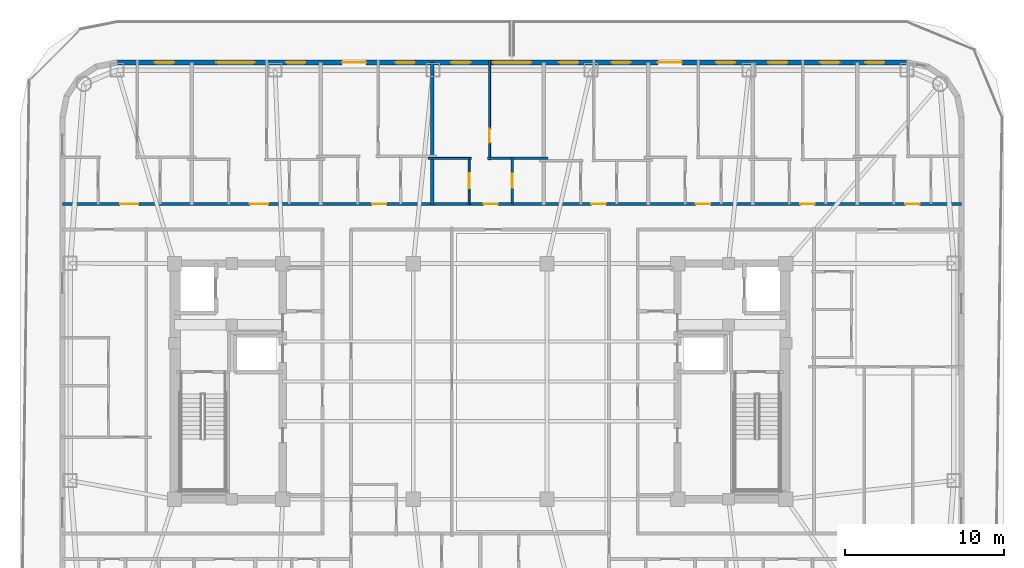
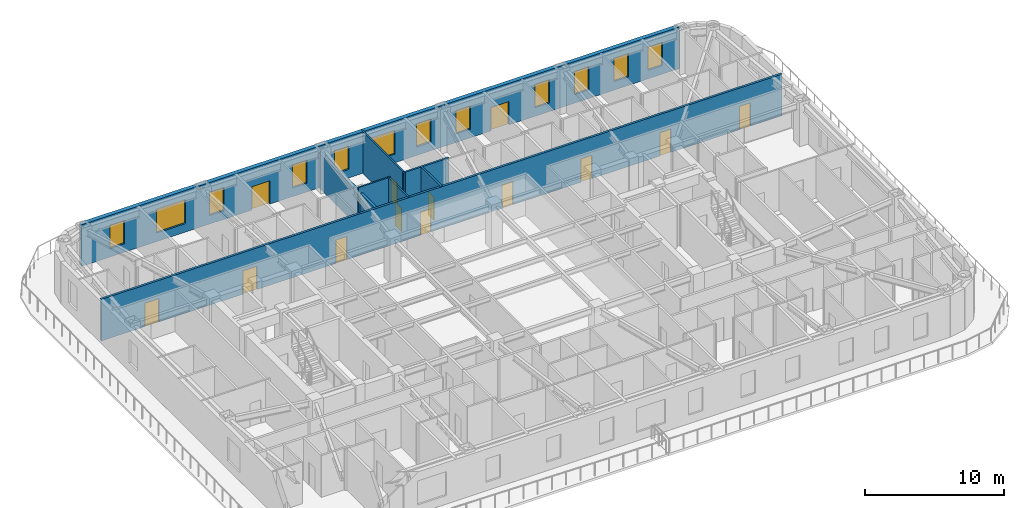
# One storey, part 8 of 15: 13 doors, 12 windows, 8 walls, 25 openings.
"""IFC4 building model written with IfcOpenShell, lengths in metres."""

from ifc_helpers import new_model, si_unit, direction, frame, frame_2d, origin, place, context, subcontext, project, spatial, rectangle, extrude, material, layer, layer_set, type_object, element, fill, save


model = new_model("IFC4")

# Units and contexts
model_context = context("Model", 3, precision=1e-05, world=origin(), true_north=direction((0.0, 1.0)))
body_context = subcontext(model_context, "Body", "Model", "MODEL_VIEW")
ifc_project = project(units=[si_unit("LENGTHUNIT", "METRE"), si_unit("AREAUNIT", "SQUARE_METRE"), si_unit("VOLUMEUNIT", "CUBIC_METRE"), si_unit("PLANEANGLEUNIT", "RADIAN"), si_unit("MASSUNIT", "GRAM", prefix="KILO")], contexts=[model_context])

# Site, building, storey
site_placement = place(None, origin())
site = spatial("IfcSite", under=ifc_project, at=site_placement, CompositionType="ELEMENT")
building_placement = place(site_placement, origin())
building = spatial("IfcBuilding", under=site, at=building_placement, Name="Voryun Gate Residences", CompositionType="ELEMENT")
storey_placement = place(building_placement, frame((0.0, 0.0, 231.39990234375)))
storey = spatial("IfcBuildingStorey", under=building, at=storey_placement, Name="L57", CompositionType="ELEMENT", Elevation=231.39990234375)

# Wall, openings, doors
ifc_material_1 = material(Name="Gypsum acoustic fireboard")
ifc_layer_1 = layer(ifc_material_1, 0.179931640625, Name="W_CORR_RATED_180")
ifc_layer_set_1 = layer_set([ifc_layer_1], Name="Gypsum acoustic fireboard")
wall_type_1 = type_object("IfcWallType", Name="W_CORR_RATED_180", PredefinedType="PARTITIONING", material=ifc_layer_set_1)
wall_1_placement = place(storey_placement, frame((-26.22998046875, 11.14990234375, 0.0), z_axis=(0.0, 0.0, 1.0), x_axis=(1.0, 0.0, 0.0)))
wall_1 = element("IfcWall", 1, at=wall_1_placement, inside=storey, type_object=wall_type_1, Name="Partition wall WP-L57-NCORR", PredefinedType="PARTITIONING", context=body_context, shape_type="SweptSolid", body=[
    extrude(rectangle(XDim=56.4599609375, YDim=0.179931640625, at=frame_2d((28.22998046875, 0.0))), origin(), (0.0, 0.0, 1.0), 3.650146484375),
])
opening_1_placement = place(wall_1_placement, frame((3.6142578125, 0.0, 0.0)))
opening_1 = element("IfcOpeningElement", 2, at=opening_1_placement, cuts=wall_1, Name="Opening D-UNIT-1", PredefinedType="OPENING", context=body_context, shape_type="SweptSolid", body=[
    extrude(rectangle(XDim=1.14990234375, YDim=2.050048828125, at=frame_2d((0.574951171875, 1.02490234375))), frame((0.0, 0.099853515625, 0.0), z_axis=(0.0, -1.0, 0.0), x_axis=(1.0, 0.0, 0.0)), (0.0, 0.0, 1.0), 0.199951171875),
])
opening_2_placement = place(wall_1_placement, frame((11.761474609375, 0.0, 0.0)))
opening_2 = element("IfcOpeningElement", 3, at=opening_2_placement, cuts=wall_1, Name="Opening D-UNIT-1", PredefinedType="OPENING", context=body_context, shape_type="SweptSolid", body=[
    extrude(rectangle(XDim=1.14990234375, YDim=2.050048828125, at=frame_2d((0.574951171875, 1.02490234375))), frame((0.0, 0.099853515625, 0.0), z_axis=(0.0, -1.0, 0.0), x_axis=(1.0, 0.0, 0.0)), (0.0, 0.0, 1.0), 0.199951171875),
])
opening_3_placement = place(wall_1_placement, frame((19.446533203125, 0.0, 0.0)))
opening_3 = element("IfcOpeningElement", 4, at=opening_3_placement, cuts=wall_1, Name="Opening D-INT-2", PredefinedType="OPENING", context=body_context, shape_type="SweptSolid", body=[
    extrude(rectangle(XDim=0.89990234375, YDim=2.050048828125, at=frame_2d((0.449951171875, 1.02490234375))), frame((0.0, 0.099853515625, 0.0), z_axis=(0.0, -1.0, 0.0), x_axis=(1.0, 0.0, 0.0)), (0.0, 0.0, 1.0), 0.199951171875),
])
opening_4_placement = place(wall_1_placement, frame((26.447509765625, 0.0, 0.0)))
opening_4 = element("IfcOpeningElement", 5, at=opening_4_placement, cuts=wall_1, Name="Opening D-INT-2", PredefinedType="OPENING", context=body_context, shape_type="SweptSolid", body=[
    extrude(rectangle(XDim=0.89990234375, YDim=2.050048828125, at=frame_2d((0.449951171875, 1.02490234375))), frame((0.0, 0.099853515625, 0.0), z_axis=(0.0, -1.0, 0.0), x_axis=(1.0, 0.0, 0.0)), (0.0, 0.0, 1.0), 0.199951171875),
])
opening_5_placement = place(wall_1_placement, frame((33.22265625, 0.0, 0.0)))
opening_5 = element("IfcOpeningElement", 6, at=opening_5_placement, cuts=wall_1, Name="Opening D-INT-2", PredefinedType="OPENING", context=body_context, shape_type="SweptSolid", body=[
    extrude(rectangle(XDim=0.89990234375, YDim=2.050048828125, at=frame_2d((0.449951171875, 1.02490234375))), frame((0.0, 0.099853515625, 0.0), z_axis=(0.0, -1.0, 0.0), x_axis=(1.0, 0.0, 0.0)), (0.0, 0.0, 1.0), 0.199951171875),
])
opening_6_placement = place(wall_1_placement, frame((39.783447265625, 0.0, 0.0)))
opening_6 = element("IfcOpeningElement", 7, at=opening_6_placement, cuts=wall_1, Name="Opening D-INT-2", PredefinedType="OPENING", context=body_context, shape_type="SweptSolid", body=[
    extrude(rectangle(XDim=0.89990234375, YDim=2.050048828125, at=frame_2d((0.449951171875, 1.02490234375))), frame((0.0, 0.099853515625, 0.0), z_axis=(0.0, -1.0, 0.0), x_axis=(1.0, 0.0, 0.0)), (0.0, 0.0, 1.0), 0.199951171875),
])
opening_7_placement = place(wall_1_placement, frame((46.343994140625, 0.0, 0.0)))
opening_7 = element("IfcOpeningElement", 8, at=opening_7_placement, cuts=wall_1, Name="Opening D-INT-2", PredefinedType="OPENING", context=body_context, shape_type="SweptSolid", body=[
    extrude(rectangle(XDim=0.89990234375, YDim=2.050048828125, at=frame_2d((0.449951171875, 1.02490234375))), frame((0.0, 0.099853515625, 0.0), z_axis=(0.0, -1.0, 0.0), x_axis=(1.0, 0.0, 0.0)), (0.0, 0.0, 1.0), 0.199951171875),
])
opening_8_placement = place(wall_1_placement, frame((52.932861328125, 0.0, 0.0)))
opening_8 = element("IfcOpeningElement", 9, at=opening_8_placement, cuts=wall_1, Name="Opening D-INT-2", PredefinedType="OPENING", context=body_context, shape_type="SweptSolid", body=[
    extrude(rectangle(XDim=0.89990234375, YDim=2.050048828125, at=frame_2d((0.449951171875, 1.02490234375))), frame((0.0, 0.099853515625, 0.0), z_axis=(0.0, -1.0, 0.0), x_axis=(1.0, 0.0, 0.0)), (0.0, 0.0, 1.0), 0.199951171875),
])
ifc_material_2 = material(Name="Architectural oak veneer")
door_type_1 = type_object("IfcDoorType", Name="DR_INT_BATH_900", OperationType="NOTDEFINED", PredefinedType="DOOR", material=ifc_material_2)
door_1_placement = place(opening_3_placement, origin())
door_1 = element("IfcDoor", 10, at=door_1_placement, inside=storey, type_object=door_type_1, Name="Door DR-L57-NENT-3", OperationType="SINGLE_SWING_LEFT", OverallHeight=2.050048828125, OverallWidth=0.89990234375, PredefinedType="DOOR", context=body_context, shape_type="SweptSolid", body=[
    extrude(rectangle(XDim=0.89990234375, YDim=2.050048828125, at=frame_2d((0.449951171875, 1.02490234375))), frame((0.0, 0.02490234375, 0.0), z_axis=(0.0, -1.0, 0.0), x_axis=(1.0, 0.0, 0.0)), (0.0, 0.0, 1.0), 0.050048828125),
])
fill(opening_3, door_1)
door_2_placement = place(opening_4_placement, origin())
door_2 = element("IfcDoor", 11, at=door_2_placement, inside=storey, type_object=door_type_1, Name="Door DR-L57-NENT-4", OperationType="SINGLE_SWING_RIGHT", OverallHeight=2.050048828125, OverallWidth=0.89990234375, PredefinedType="DOOR", context=body_context, shape_type="SweptSolid", body=[
    extrude(rectangle(XDim=0.89990234375, YDim=2.050048828125, at=frame_2d((0.449951171875, 1.02490234375))), frame((0.0, 0.02490234375, 0.0), z_axis=(0.0, -1.0, 0.0), x_axis=(1.0, 0.0, 0.0)), (0.0, 0.0, 1.0), 0.050048828125),
])
fill(opening_4, door_2)
door_3_placement = place(opening_5_placement, origin())
door_3 = element("IfcDoor", 12, at=door_3_placement, inside=storey, type_object=door_type_1, Name="Door DR-L57-NENT-5", OperationType="SINGLE_SWING_LEFT", OverallHeight=2.050048828125, OverallWidth=0.89990234375, PredefinedType="DOOR", context=body_context, shape_type="SweptSolid", body=[
    extrude(rectangle(XDim=0.89990234375, YDim=2.050048828125, at=frame_2d((0.449951171875, 1.02490234375))), frame((0.0, 0.02490234375, 0.0), z_axis=(0.0, -1.0, 0.0), x_axis=(1.0, 0.0, 0.0)), (0.0, 0.0, 1.0), 0.050048828125),
])
fill(opening_5, door_3)
door_4_placement = place(opening_6_placement, origin())
door_4 = element("IfcDoor", 13, at=door_4_placement, inside=storey, type_object=door_type_1, Name="Door DR-L57-NENT-6", OperationType="SINGLE_SWING_RIGHT", OverallHeight=2.050048828125, OverallWidth=0.89990234375, PredefinedType="DOOR", context=body_context, shape_type="SweptSolid", body=[
    extrude(rectangle(XDim=0.89990234375, YDim=2.050048828125, at=frame_2d((0.449951171875, 1.02490234375))), frame((0.0, 0.02490234375, 0.0), z_axis=(0.0, -1.0, 0.0), x_axis=(1.0, 0.0, 0.0)), (0.0, 0.0, 1.0), 0.050048828125),
])
fill(opening_6, door_4)
door_5_placement = place(opening_7_placement, origin())
door_5 = element("IfcDoor", 14, at=door_5_placement, inside=storey, type_object=door_type_1, Name="Door DR-L57-NENT-7", OperationType="SINGLE_SWING_LEFT", OverallHeight=2.050048828125, OverallWidth=0.89990234375, PredefinedType="DOOR", context=body_context, shape_type="SweptSolid", body=[
    extrude(rectangle(XDim=0.89990234375, YDim=2.050048828125, at=frame_2d((0.449951171875, 1.02490234375))), frame((0.0, 0.02490234375, 0.0), z_axis=(0.0, -1.0, 0.0), x_axis=(1.0, 0.0, 0.0)), (0.0, 0.0, 1.0), 0.050048828125),
])
fill(opening_7, door_5)
door_6_placement = place(opening_8_placement, origin())
door_6 = element("IfcDoor", 15, at=door_6_placement, inside=storey, type_object=door_type_1, Name="Door DR-L57-NENT-8", OperationType="SINGLE_SWING_RIGHT", OverallHeight=2.050048828125, OverallWidth=0.89990234375, PredefinedType="DOOR", context=body_context, shape_type="SweptSolid", body=[
    extrude(rectangle(XDim=0.89990234375, YDim=2.050048828125, at=frame_2d((0.449951171875, 1.02490234375))), frame((0.0, 0.02490234375, 0.0), z_axis=(0.0, -1.0, 0.0), x_axis=(1.0, 0.0, 0.0)), (0.0, 0.0, 1.0), 0.050048828125),
])
fill(opening_8, door_6)
ifc_material_3 = material(Name="Armoured timber-clad fire door", Category="wood")
door_type_2 = type_object("IfcDoorType", Name="DR_UNIT_ENTRY_1150", OperationType="NOTDEFINED", PredefinedType="DOOR", material=ifc_material_3)
door_7_placement = place(opening_1_placement, origin())
door_7 = element("IfcDoor", 16, at=door_7_placement, inside=storey, type_object=door_type_2, Name="Door DR-L57-NENT-1", OperationType="SINGLE_SWING_LEFT", OverallHeight=2.050048828125, OverallWidth=1.14990234375, PredefinedType="DOOR", context=body_context, shape_type="SweptSolid", body=[
    extrude(rectangle(XDim=1.14990234375, YDim=2.050048828125, at=frame_2d((0.574951171875, 1.02490234375))), frame((0.0, 0.02490234375, 0.0), z_axis=(0.0, -1.0, 0.0), x_axis=(1.0, 0.0, 0.0)), (0.0, 0.0, 1.0), 0.050048828125),
])
fill(opening_1, door_7)
door_8_placement = place(opening_2_placement, origin())
door_8 = element("IfcDoor", 17, at=door_8_placement, inside=storey, type_object=door_type_2, Name="Door DR-L57-NENT-2", OperationType="SINGLE_SWING_RIGHT", OverallHeight=2.050048828125, OverallWidth=1.14990234375, PredefinedType="DOOR", context=body_context, shape_type="SweptSolid", body=[
    extrude(rectangle(XDim=1.14990234375, YDim=2.050048828125, at=frame_2d((0.574951171875, 1.02490234375))), frame((0.0, 0.02490234375, 0.0), z_axis=(0.0, -1.0, 0.0), x_axis=(1.0, 0.0, 0.0)), (0.0, 0.0, 1.0), 0.050048828125),
])
fill(opening_2, door_8)

# Wall, openings, doors, windows
ifc_material_4 = material(Name="Charcoal terracotta masonry", Category="masonry")
ifc_layer_2 = layer(ifc_material_4, 0.340087890625, Name="W_EXT_TERRACOTTA_340")
ifc_layer_set_2 = layer_set([ifc_layer_2], Name="Charcoal terracotta masonry")
wall_type_2 = type_object("IfcWallType", Name="W_EXT_TERRACOTTA_340", PredefinedType="ELEMENTEDWALL", material=ifc_layer_set_2)
wall_2_placement = place(storey_placement, frame((-22.783203125, 20.030029296875, 0.0), z_axis=(0.0, 0.0, 1.0), x_axis=(1.0, 0.0, 0.0)))
wall_2 = element("IfcWall", 18, at=wall_2_placement, inside=storey, type_object=wall_type_2, Name="Exterior wall WEXT-L57-11", PredefinedType="ELEMENTEDWALL", context=body_context, shape_type="SweptSolid", body=[
    extrude(rectangle(XDim=49.56640625, YDim=0.340087890625, at=frame_2d((24.783203125, 0.0))), origin(), (0.0, 0.0, 1.0), 3.650146484375),
])
opening_9_placement = place(wall_2_placement, frame((14.1201171875, 0.0, 0.0)))
opening_9 = element("IfcOpeningElement", 19, at=opening_9_placement, cuts=wall_2, Name="Opening D-TER-1", PredefinedType="OPENING", context=body_context, shape_type="SweptSolid", body=[
    extrude(rectangle(XDim=1.5, YDim=2.050048828125, at=frame_2d((0.75, 1.02490234375))), frame((0.0, 0.179931640625, 0.0), z_axis=(0.0, -1.0, 0.0), x_axis=(1.0, 0.0, 0.0)), (0.0, 0.0, 1.0), 0.360107421875),
])
opening_10_placement = place(wall_2_placement, frame((6.211181640625, 0.0, 0.75)))
opening_10 = element("IfcOpeningElement", 20, at=opening_10_placement, cuts=wall_2, Name="Opening WN2", PredefinedType="OPENING", context=body_context, shape_type="SweptSolid", body=[
    extrude(rectangle(XDim=2.39990234375, YDim=2.10009765625, at=frame_2d((1.199951171875, 1.050048828125))), frame((0.0, 0.179931640625, 0.0), z_axis=(0.0, -1.0, 0.0), x_axis=(1.0, 0.0, 0.0)), (0.0, 0.0, 1.0), 0.360107421875),
])
opening_11_placement = place(wall_2_placement, frame((23.583251953125, 0.0, 0.75)))
opening_11 = element("IfcOpeningElement", 21, at=opening_11_placement, cuts=wall_2, Name="Opening WN2", PredefinedType="OPENING", context=body_context, shape_type="SweptSolid", body=[
    extrude(rectangle(XDim=2.39990234375, YDim=2.10009765625, at=frame_2d((1.199951171875, 1.050048828125))), frame((0.0, 0.179931640625, 0.0), z_axis=(0.0, -1.0, 0.0), x_axis=(1.0, 0.0, 0.0)), (0.0, 0.0, 1.0), 0.360107421875),
])
opening_12_placement = place(wall_2_placement, frame((33.947021484375, 0.0, 0.0)))
opening_12 = element("IfcOpeningElement", 22, at=opening_12_placement, cuts=wall_2, Name="Opening D-TER-1", PredefinedType="OPENING", context=body_context, shape_type="SweptSolid", body=[
    extrude(rectangle(XDim=1.5, YDim=2.050048828125, at=frame_2d((0.75, 1.02490234375))), frame((0.0, 0.179931640625, 0.0), z_axis=(0.0, -1.0, 0.0), x_axis=(1.0, 0.0, 0.0)), (0.0, 0.0, 1.0), 0.360107421875),
])
opening_13_placement = place(wall_2_placement, frame((2.3603515625, 0.0, 0.75)))
opening_13 = element("IfcOpeningElement", 23, at=opening_13_placement, cuts=wall_2, Name="Opening WN6", PredefinedType="OPENING", context=body_context, shape_type="SweptSolid", body=[
    extrude(rectangle(XDim=1.199951171875, YDim=2.050048828125, at=frame_2d((0.60009765625, 1.02490234375))), frame((0.0, 0.179931640625, 0.0), z_axis=(0.0, -1.0, 0.0), x_axis=(1.0, 0.0, 0.0)), (0.0, 0.0, 1.0), 0.360107421875),
])
opening_14_placement = place(wall_2_placement, frame((10.598388671875, 0.0, 0.75)))
opening_14 = element("IfcOpeningElement", 24, at=opening_14_placement, cuts=wall_2, Name="Opening WN6", PredefinedType="OPENING", context=body_context, shape_type="SweptSolid", body=[
    extrude(rectangle(XDim=1.199951171875, YDim=2.050048828125, at=frame_2d((0.60009765625, 1.02490234375))), frame((0.0, 0.179931640625, 0.0), z_axis=(0.0, -1.0, 0.0), x_axis=(1.0, 0.0, 0.0)), (0.0, 0.0, 1.0), 0.360107421875),
])
opening_15_placement = place(wall_2_placement, frame((17.478271484375, 0.0, 0.75)))
opening_15 = element("IfcOpeningElement", 25, at=opening_15_placement, cuts=wall_2, Name="Opening WN6", PredefinedType="OPENING", context=body_context, shape_type="SweptSolid", body=[
    extrude(rectangle(XDim=1.199951171875, YDim=2.050048828125, at=frame_2d((0.60009765625, 1.02490234375))), frame((0.0, 0.179931640625, 0.0), z_axis=(0.0, -1.0, 0.0), x_axis=(1.0, 0.0, 0.0)), (0.0, 0.0, 1.0), 0.360107421875),
])
opening_16_placement = place(wall_2_placement, frame((20.978271484375, 0.0, 0.75)))
opening_16 = element("IfcOpeningElement", 26, at=opening_16_placement, cuts=wall_2, Name="Opening WN6", PredefinedType="OPENING", context=body_context, shape_type="SweptSolid", body=[
    extrude(rectangle(XDim=1.199951171875, YDim=2.050048828125, at=frame_2d((0.60009765625, 1.02490234375))), frame((0.0, 0.179931640625, 0.0), z_axis=(0.0, -1.0, 0.0), x_axis=(1.0, 0.0, 0.0)), (0.0, 0.0, 1.0), 0.360107421875),
])
opening_17_placement = place(wall_2_placement, frame((27.7578125, 0.0, 0.75)))
opening_17 = element("IfcOpeningElement", 27, at=opening_17_placement, cuts=wall_2, Name="Opening WN6", PredefinedType="OPENING", context=body_context, shape_type="SweptSolid", body=[
    extrude(rectangle(XDim=1.199951171875, YDim=2.050048828125, at=frame_2d((0.60009765625, 1.02490234375))), frame((0.0, 0.179931640625, 0.0), z_axis=(0.0, -1.0, 0.0), x_axis=(1.0, 0.0, 0.0)), (0.0, 0.0, 1.0), 0.360107421875),
])
opening_18_placement = place(wall_2_placement, frame((31.037353515625, 0.0, 0.75)))
opening_18 = element("IfcOpeningElement", 28, at=opening_18_placement, cuts=wall_2, Name="Opening WN6", PredefinedType="OPENING", context=body_context, shape_type="SweptSolid", body=[
    extrude(rectangle(XDim=1.199951171875, YDim=2.050048828125, at=frame_2d((0.60009765625, 1.02490234375))), frame((0.0, 0.179931640625, 0.0), z_axis=(0.0, -1.0, 0.0), x_axis=(1.0, 0.0, 0.0)), (0.0, 0.0, 1.0), 0.360107421875),
])
opening_19_placement = place(wall_2_placement, frame((37.59619140625, 0.0, 0.75)))
opening_19 = element("IfcOpeningElement", 29, at=opening_19_placement, cuts=wall_2, Name="Opening WN6", PredefinedType="OPENING", context=body_context, shape_type="SweptSolid", body=[
    extrude(rectangle(XDim=1.199951171875, YDim=2.050048828125, at=frame_2d((0.60009765625, 1.02490234375))), frame((0.0, 0.179931640625, 0.0), z_axis=(0.0, -1.0, 0.0), x_axis=(1.0, 0.0, 0.0)), (0.0, 0.0, 1.0), 0.360107421875),
])
opening_20_placement = place(wall_2_placement, frame((40.876220703125, 0.0, 0.75)))
opening_20 = element("IfcOpeningElement", 30, at=opening_20_placement, cuts=wall_2, Name="Opening WN6", PredefinedType="OPENING", context=body_context, shape_type="SweptSolid", body=[
    extrude(rectangle(XDim=1.199951171875, YDim=2.050048828125, at=frame_2d((0.60009765625, 1.02490234375))), frame((0.0, 0.179931640625, 0.0), z_axis=(0.0, -1.0, 0.0), x_axis=(1.0, 0.0, 0.0)), (0.0, 0.0, 1.0), 0.360107421875),
])
opening_21_placement = place(wall_2_placement, frame((44.15625, 0.0, 0.75)))
opening_21 = element("IfcOpeningElement", 31, at=opening_21_placement, cuts=wall_2, Name="Opening WN6", PredefinedType="OPENING", context=body_context, shape_type="SweptSolid", body=[
    extrude(rectangle(XDim=1.199951171875, YDim=2.050048828125, at=frame_2d((0.60009765625, 1.02490234375))), frame((0.0, 0.179931640625, 0.0), z_axis=(0.0, -1.0, 0.0), x_axis=(1.0, 0.0, 0.0)), (0.0, 0.0, 1.0), 0.360107421875),
])
opening_22_placement = place(wall_2_placement, frame((46.968994140625, 0.0, 0.75)))
opening_22 = element("IfcOpeningElement", 32, at=opening_22_placement, cuts=wall_2, Name="Opening WN6", PredefinedType="OPENING", context=body_context, shape_type="SweptSolid", body=[
    extrude(rectangle(XDim=1.199951171875, YDim=2.050048828125, at=frame_2d((0.60009765625, 1.02490234375))), frame((0.0, 0.179931640625, 0.0), z_axis=(0.0, -1.0, 0.0), x_axis=(1.0, 0.0, 0.0)), (0.0, 0.0, 1.0), 0.360107421875),
])
ifc_material_5 = material(Name="Thermally broken aluminium and low-E glass", Category="aluminium")
door_type_3 = type_object("IfcDoorType", Name="DR_TERR_EXIT_1500", OperationType="NOTDEFINED", PredefinedType="DOOR", material=ifc_material_5)
door_9_placement = place(opening_9_placement, origin())
door_9 = element("IfcDoor", 33, at=door_9_placement, inside=storey, type_object=door_type_3, Name="Door DR-L57-OUT-01", OperationType="SLIDING_TO_RIGHT", OverallHeight=2.050048828125, OverallWidth=1.5, PredefinedType="DOOR", context=body_context, shape_type="SweptSolid", body=[
    extrude(rectangle(XDim=1.5, YDim=2.050048828125, at=frame_2d((0.75, 1.02490234375))), frame((0.0, 0.02490234375, 0.0), z_axis=(0.0, -1.0, 0.0), x_axis=(1.0, 0.0, 0.0)), (0.0, 0.0, 1.0), 0.050048828125),
])
fill(opening_9, door_9)
door_10_placement = place(opening_12_placement, origin())
door_10 = element("IfcDoor", 34, at=door_10_placement, inside=storey, type_object=door_type_3, Name="Door DR-L57-OUT-02", OperationType="SLIDING_TO_RIGHT", OverallHeight=2.050048828125, OverallWidth=1.5, PredefinedType="DOOR", context=body_context, shape_type="SweptSolid", body=[
    extrude(rectangle(XDim=1.5, YDim=2.050048828125, at=frame_2d((0.75, 1.02490234375))), frame((0.0, 0.02490234375, 0.0), z_axis=(0.0, -1.0, 0.0), x_axis=(1.0, 0.0, 0.0)), (0.0, 0.0, 1.0), 0.050048828125),
])
fill(opening_12, door_10)
ifc_material_6 = material(Name="Laminated low-E glass", Category="glass")
window_type_1 = type_object("IfcWindowType", Name="WN_POD_SLOT_1200", PartitioningType="SINGLE_PANEL", PredefinedType="WINDOW", material=ifc_material_6)
window_1_placement = place(opening_13_placement, origin())
window_1 = element("IfcWindow", 35, at=window_1_placement, inside=storey, type_object=window_type_1, Name="Window WN-L57-DWFIX-02", OverallHeight=2.050048828125, OverallWidth=1.199951171875, PartitioningType="SINGLE_PANEL", PredefinedType="WINDOW", context=body_context, shape_type="SweptSolid", body=[
    extrude(rectangle(XDim=1.199951171875, YDim=2.050048828125, at=frame_2d((0.60009765625, 1.02490234375))), frame((0.0, 0.030029296875, 0.0), z_axis=(0.0, -1.0, 0.0), x_axis=(1.0, 0.0, 0.0)), (0.0, 0.0, 1.0), 0.06005859375),
])
fill(opening_13, window_1)
window_2_placement = place(opening_14_placement, origin())
window_2 = element("IfcWindow", 36, at=window_2_placement, inside=storey, type_object=window_type_1, Name="Window WN-L57-DWFIX-03", OverallHeight=2.050048828125, OverallWidth=1.199951171875, PartitioningType="SINGLE_PANEL", PredefinedType="WINDOW", context=body_context, shape_type="SweptSolid", body=[
    extrude(rectangle(XDim=1.199951171875, YDim=2.050048828125, at=frame_2d((0.60009765625, 1.02490234375))), frame((0.0, 0.030029296875, 0.0), z_axis=(0.0, -1.0, 0.0), x_axis=(1.0, 0.0, 0.0)), (0.0, 0.0, 1.0), 0.06005859375),
])
fill(opening_14, window_2)
window_3_placement = place(opening_15_placement, origin())
window_3 = element("IfcWindow", 37, at=window_3_placement, inside=storey, type_object=window_type_1, Name="Window WN-L57-DWFIX-04", OverallHeight=2.050048828125, OverallWidth=1.199951171875, PartitioningType="SINGLE_PANEL", PredefinedType="WINDOW", context=body_context, shape_type="SweptSolid", body=[
    extrude(rectangle(XDim=1.199951171875, YDim=2.050048828125, at=frame_2d((0.60009765625, 1.02490234375))), frame((0.0, 0.030029296875, 0.0), z_axis=(0.0, -1.0, 0.0), x_axis=(1.0, 0.0, 0.0)), (0.0, 0.0, 1.0), 0.06005859375),
])
fill(opening_15, window_3)
window_4_placement = place(opening_16_placement, origin())
window_4 = element("IfcWindow", 38, at=window_4_placement, inside=storey, type_object=window_type_1, Name="Window WN-L57-DWFIX-05", OverallHeight=2.050048828125, OverallWidth=1.199951171875, PartitioningType="SINGLE_PANEL", PredefinedType="WINDOW", context=body_context, shape_type="SweptSolid", body=[
    extrude(rectangle(XDim=1.199951171875, YDim=2.050048828125, at=frame_2d((0.60009765625, 1.02490234375))), frame((0.0, 0.030029296875, 0.0), z_axis=(0.0, -1.0, 0.0), x_axis=(1.0, 0.0, 0.0)), (0.0, 0.0, 1.0), 0.06005859375),
])
fill(opening_16, window_4)
window_5_placement = place(opening_17_placement, origin())
window_5 = element("IfcWindow", 39, at=window_5_placement, inside=storey, type_object=window_type_1, Name="Window WN-L57-DWFIX-06", OverallHeight=2.050048828125, OverallWidth=1.199951171875, PartitioningType="SINGLE_PANEL", PredefinedType="WINDOW", context=body_context, shape_type="SweptSolid", body=[
    extrude(rectangle(XDim=1.199951171875, YDim=2.050048828125, at=frame_2d((0.60009765625, 1.02490234375))), frame((0.0, 0.030029296875, 0.0), z_axis=(0.0, -1.0, 0.0), x_axis=(1.0, 0.0, 0.0)), (0.0, 0.0, 1.0), 0.06005859375),
])
fill(opening_17, window_5)
window_6_placement = place(opening_18_placement, origin())
window_6 = element("IfcWindow", 40, at=window_6_placement, inside=storey, type_object=window_type_1, Name="Window WN-L57-DWFIX-07", OverallHeight=2.050048828125, OverallWidth=1.199951171875, PartitioningType="SINGLE_PANEL", PredefinedType="WINDOW", context=body_context, shape_type="SweptSolid", body=[
    extrude(rectangle(XDim=1.199951171875, YDim=2.050048828125, at=frame_2d((0.60009765625, 1.02490234375))), frame((0.0, 0.030029296875, 0.0), z_axis=(0.0, -1.0, 0.0), x_axis=(1.0, 0.0, 0.0)), (0.0, 0.0, 1.0), 0.06005859375),
])
fill(opening_18, window_6)
window_7_placement = place(opening_19_placement, origin())
window_7 = element("IfcWindow", 41, at=window_7_placement, inside=storey, type_object=window_type_1, Name="Window WN-L57-DWFIX-08", OverallHeight=2.050048828125, OverallWidth=1.199951171875, PartitioningType="SINGLE_PANEL", PredefinedType="WINDOW", context=body_context, shape_type="SweptSolid", body=[
    extrude(rectangle(XDim=1.199951171875, YDim=2.050048828125, at=frame_2d((0.60009765625, 1.02490234375))), frame((0.0, 0.030029296875, 0.0), z_axis=(0.0, -1.0, 0.0), x_axis=(1.0, 0.0, 0.0)), (0.0, 0.0, 1.0), 0.06005859375),
])
fill(opening_19, window_7)
window_8_placement = place(opening_20_placement, origin())
window_8 = element("IfcWindow", 42, at=window_8_placement, inside=storey, type_object=window_type_1, Name="Window WN-L57-DWFIX-09", OverallHeight=2.050048828125, OverallWidth=1.199951171875, PartitioningType="SINGLE_PANEL", PredefinedType="WINDOW", context=body_context, shape_type="SweptSolid", body=[
    extrude(rectangle(XDim=1.199951171875, YDim=2.050048828125, at=frame_2d((0.60009765625, 1.02490234375))), frame((0.0, 0.030029296875, 0.0), z_axis=(0.0, -1.0, 0.0), x_axis=(1.0, 0.0, 0.0)), (0.0, 0.0, 1.0), 0.06005859375),
])
fill(opening_20, window_8)
window_9_placement = place(opening_21_placement, origin())
window_9 = element("IfcWindow", 43, at=window_9_placement, inside=storey, type_object=window_type_1, Name="Window WN-L57-DWFIX-10", OverallHeight=2.050048828125, OverallWidth=1.199951171875, PartitioningType="SINGLE_PANEL", PredefinedType="WINDOW", context=body_context, shape_type="SweptSolid", body=[
    extrude(rectangle(XDim=1.199951171875, YDim=2.050048828125, at=frame_2d((0.60009765625, 1.02490234375))), frame((0.0, 0.030029296875, 0.0), z_axis=(0.0, -1.0, 0.0), x_axis=(1.0, 0.0, 0.0)), (0.0, 0.0, 1.0), 0.06005859375),
])
fill(opening_21, window_9)
window_10_placement = place(opening_22_placement, origin())
window_10 = element("IfcWindow", 44, at=window_10_placement, inside=storey, type_object=window_type_1, Name="Window WN-L57-DWFIX-11", OverallHeight=2.050048828125, OverallWidth=1.199951171875, PartitioningType="SINGLE_PANEL", PredefinedType="WINDOW", context=body_context, shape_type="SweptSolid", body=[
    extrude(rectangle(XDim=1.199951171875, YDim=2.050048828125, at=frame_2d((0.60009765625, 1.02490234375))), frame((0.0, 0.030029296875, 0.0), z_axis=(0.0, -1.0, 0.0), x_axis=(1.0, 0.0, 0.0)), (0.0, 0.0, 1.0), 0.06005859375),
])
fill(opening_22, window_10)
ifc_material_7 = material(Name="Laminated low-E glass", Category="glass")
window_type_2 = type_object("IfcWindowType", Name="WN_RES_WIDE_2400", PartitioningType="SINGLE_PANEL", PredefinedType="WINDOW", material=ifc_material_7)
window_11_placement = place(opening_10_placement, origin())
window_11 = element("IfcWindow", 45, at=window_11_placement, inside=storey, type_object=window_type_2, Name="Window WN-WEXT-L57-11-01", OverallHeight=2.10009765625, OverallWidth=2.39990234375, PartitioningType="SINGLE_PANEL", PredefinedType="WINDOW", context=body_context, shape_type="SweptSolid", body=[
    extrude(rectangle(XDim=2.39990234375, YDim=2.10009765625, at=frame_2d((1.199951171875, 1.050048828125))), frame((0.0, 0.030029296875, 0.0), z_axis=(0.0, -1.0, 0.0), x_axis=(1.0, 0.0, 0.0)), (0.0, 0.0, 1.0), 0.06005859375),
])
fill(opening_10, window_11)
window_12_placement = place(opening_11_placement, origin())
window_12 = element("IfcWindow", 46, at=window_12_placement, inside=storey, type_object=window_type_2, Name="Window WN-WEXT-L57-11-02", OverallHeight=2.10009765625, OverallWidth=2.39990234375, PartitioningType="SINGLE_PANEL", PredefinedType="WINDOW", context=body_context, shape_type="SweptSolid", body=[
    extrude(rectangle(XDim=2.39990234375, YDim=2.10009765625, at=frame_2d((1.199951171875, 1.050048828125))), frame((0.0, 0.030029296875, 0.0), z_axis=(0.0, -1.0, 0.0), x_axis=(1.0, 0.0, 0.0)), (0.0, 0.0, 1.0), 0.06005859375),
])
fill(opening_11, window_12)

# Wall
ifc_material_8 = material(Name="Concrete C40/50", Category="concrete")
ifc_layer_3 = layer(ifc_material_8, 0.219970703125, Name="W_PARTY_ACOUSTIC_220")
ifc_layer_set_3 = layer_set([ifc_layer_3], Name="Concrete C40/50")
wall_type_3 = type_object("IfcWallType", Name="W_PARTY_ACOUSTIC_220", PredefinedType="PARTITIONING", material=ifc_layer_set_3)
wall_3_placement = place(storey_placement, frame((-3.0, 11.070068359375, 0.0), z_axis=(0.0, 0.0, 1.0), x_axis=(0.0, 1.0, 0.0)))
element("IfcWall", 47, at=wall_3_placement, inside=storey, type_object=wall_type_3, Name="Partition wall WP-L57-NPTY-3", PredefinedType="PARTITIONING", context=body_context, shape_type="SweptSolid", body=[
    extrude(rectangle(XDim=8.9599609375, YDim=0.219970703125, at=frame_2d((4.47998046875, 0.0))), origin(), (0.0, 0.0, 1.0), 3.090087890625),
])

# Wall, opening, door
ifc_material_9 = material(Name="Gypsum acoustic partition")
ifc_layer_4 = layer(ifc_material_9, 0.125, Name="W_UNIT_PART_125")
ifc_layer_set_4 = layer_set([ifc_layer_4], Name="Gypsum acoustic partition")
wall_type_4 = type_object("IfcWallType", Name="W_UNIT_PART_125", PredefinedType="PARTITIONING", material=ifc_layer_set_4)
wall_4_placement = place(storey_placement, frame((0.590087890625, 13.927001953125, 0.0), z_axis=(0.0, 0.0, 1.0), x_axis=(0.0, 1.0, 0.0)))
wall_4 = element("IfcWall", 48, at=wall_4_placement, inside=storey, type_object=wall_type_4, Name="Partition wall WP-L57-N4-OVR", PredefinedType="PARTITIONING", context=body_context, shape_type="SweptSolid", body=[
    extrude(rectangle(XDim=6.2529296875, YDim=0.125, at=frame_2d((3.12646484375, 0.0))), origin(), (0.0, 0.0, 1.0), 3.650146484375),
])
opening_23_placement = place(wall_4_placement, frame((1.05078125, 0.0, 0.0)))
opening_23 = element("IfcOpeningElement", 49, at=opening_23_placement, cuts=wall_4, Name="Opening D-INT-2", PredefinedType="OPENING", context=body_context, shape_type="SweptSolid", body=[
    extrude(rectangle(XDim=0.89990234375, YDim=2.050048828125, at=frame_2d((0.449951171875, 1.02490234375))), frame((0.0, 0.072509765625, 0.0), z_axis=(0.0, -1.0, 0.0), x_axis=(1.0, 0.0, 0.0)), (0.0, 0.0, 1.0), 0.14501953125),
])
door_11_placement = place(opening_23_placement, origin())
door_11 = element("IfcDoor", 50, at=door_11_placement, inside=storey, type_object=door_type_1, Name="Door DR-L57-N4-DMB", OperationType="SINGLE_SWING_RIGHT", OverallHeight=2.050048828125, OverallWidth=0.89990234375, PredefinedType="DOOR", context=body_context, shape_type="SweptSolid", body=[
    extrude(rectangle(XDim=0.89990234375, YDim=2.050048828125, at=frame_2d((0.449951171875, 1.02490234375))), frame((0.0, 0.02490234375, 0.0), z_axis=(0.0, -1.0, 0.0), x_axis=(1.0, 0.0, 0.0)), (0.0, 0.0, 1.0), 0.050048828125),
])
fill(opening_23, door_11)

wall_5_placement = place(storey_placement, frame((-0.68994140625, 11.1298828125, 0.0), z_axis=(0.0, 0.0, 1.0), x_axis=(0.0, 1.0, 0.0)))
wall_5 = element("IfcWall", 51, at=wall_5_placement, inside=storey, type_object=wall_type_4, Name="Partition wall WP-L57-N4-IVK", PredefinedType="PARTITIONING", context=body_context, shape_type="SweptSolid", body=[
    extrude(rectangle(XDim=2.95703125, YDim=0.125, at=frame_2d((1.478515625, 0.0))), origin(), (0.0, 0.0, 1.0), 3.650146484375),
])
opening_24_placement = place(wall_5_placement, frame((1.00341796875, 0.0, 0.0)))
opening_24 = element("IfcOpeningElement", 52, at=opening_24_placement, cuts=wall_5, Name="Opening D-INT-1", PredefinedType="OPENING", context=body_context, shape_type="SweptSolid", body=[
    extrude(rectangle(XDim=0.949951171875, YDim=2.050048828125, at=frame_2d((0.47509765625, 1.02490234375))), frame((0.0, 0.072509765625, 0.0), z_axis=(0.0, -1.0, 0.0), x_axis=(1.0, 0.0, 0.0)), (0.0, 0.0, 1.0), 0.14501953125),
])
ifc_material_10 = material(Name="Architectural oak veneer")
door_type_4 = type_object("IfcDoorType", Name="DR_INT_ROOM_950", OperationType="NOTDEFINED", PredefinedType="DOOR", material=ifc_material_10)
door_12_placement = place(opening_24_placement, origin())
door_12 = element("IfcDoor", 53, at=door_12_placement, inside=storey, type_object=door_type_4, Name="Door DR-L57-N4-DK", OperationType="SINGLE_SWING_LEFT", OverallHeight=2.050048828125, OverallWidth=0.949951171875, PredefinedType="DOOR", context=body_context, shape_type="SweptSolid", body=[
    extrude(rectangle(XDim=0.949951171875, YDim=2.050048828125, at=frame_2d((0.47509765625, 1.02490234375))), frame((0.0, 0.02490234375, 0.0), z_axis=(0.0, -1.0, 0.0), x_axis=(1.0, 0.0, 0.0)), (0.0, 0.0, 1.0), 0.050048828125),
])
fill(opening_24, door_12)

# Walls
wall_6_placement = place(storey_placement, frame((-3.260009765625, 14.007080078125, 0.0), z_axis=(0.0, 0.0, 1.0), x_axis=(1.0, 0.0, 0.0)))
element("IfcWall", 54, at=wall_6_placement, inside=storey, type_object=wall_type_4, Name="Partition wall WP-L57-N4-HZK", PredefinedType="PARTITIONING", context=body_context, shape_type="SweptSolid", body=[
    extrude(rectangle(XDim=2.68994140625, YDim=0.125, at=frame_2d((1.344970703125, 0.0))), origin(), (0.0, 0.0, 1.0), 3.650146484375),
])
ifc_material_11 = material(Name="Gypsum moisture-resistant partition")
ifc_layer_5 = layer(ifc_material_11, 0.14990234375, Name="W_WET_PLUMB_150")
ifc_layer_set_5 = layer_set([ifc_layer_5], Name="Gypsum moisture-resistant partition")
wall_type_5 = type_object("IfcWallType", Name="W_WET_PLUMB_150", PredefinedType="PLUMBINGWALL", material=ifc_layer_set_5)
wall_7_placement = place(storey_placement, frame((0.469970703125, 14.007080078125, 0.0), z_axis=(0.0, 0.0, 1.0), x_axis=(1.0, 0.0, 0.0)))
element("IfcWall", 55, at=wall_7_placement, inside=storey, type_object=wall_type_5, Name="Partition wall WP-L57-N4-HZB", PredefinedType="PLUMBINGWALL", context=body_context, shape_type="SweptSolid", body=[
    extrude(rectangle(XDim=3.7900390625, YDim=0.14990234375, at=frame_2d((1.89501953125, 0.0))), origin(), (0.0, 0.0, 1.0), 3.650146484375),
])

# Wall, opening, door
wall_8_placement = place(storey_placement, frame((2.02001953125, 11.1298828125, 0.0), z_axis=(0.0, 0.0, 1.0), x_axis=(0.0, 1.0, 0.0)))
wall_8 = element("IfcWall", 56, at=wall_8_placement, inside=storey, type_object=wall_type_5, Name="Partition wall WP-L57-N4-IVB", PredefinedType="PLUMBINGWALL", context=body_context, shape_type="SweptSolid", body=[
    extrude(rectangle(XDim=2.95703125, YDim=0.14990234375, at=frame_2d((1.478515625, 0.0))), origin(), (0.0, 0.0, 1.0), 3.650146484375),
])
opening_25_placement = place(wall_8_placement, frame((1.028564453125, 0.0, 0.0)))
opening_25 = element("IfcOpeningElement", 57, at=opening_25_placement, cuts=wall_8, Name="Opening D-INT-2", PredefinedType="OPENING", context=body_context, shape_type="SweptSolid", body=[
    extrude(rectangle(XDim=0.89990234375, YDim=2.050048828125, at=frame_2d((0.449951171875, 1.02490234375))), frame((0.0, 0.0849609375, 0.0), z_axis=(0.0, -1.0, 0.0), x_axis=(1.0, 0.0, 0.0)), (0.0, 0.0, 1.0), 0.169921875),
])
door_13_placement = place(opening_25_placement, origin())
door_13 = element("IfcDoor", 58, at=door_13_placement, inside=storey, type_object=door_type_1, Name="Door DR-L57-N4-DB", OperationType="SINGLE_SWING_RIGHT", OverallHeight=2.050048828125, OverallWidth=0.89990234375, PredefinedType="DOOR", context=body_context, shape_type="SweptSolid", body=[
    extrude(rectangle(XDim=0.89990234375, YDim=2.050048828125, at=frame_2d((0.449951171875, 1.02490234375))), frame((0.0, 0.02490234375, 0.0), z_axis=(0.0, -1.0, 0.0), x_axis=(1.0, 0.0, 0.0)), (0.0, 0.0, 1.0), 0.050048828125),
])
fill(opening_25, door_13)

save(model, "model.ifc")
